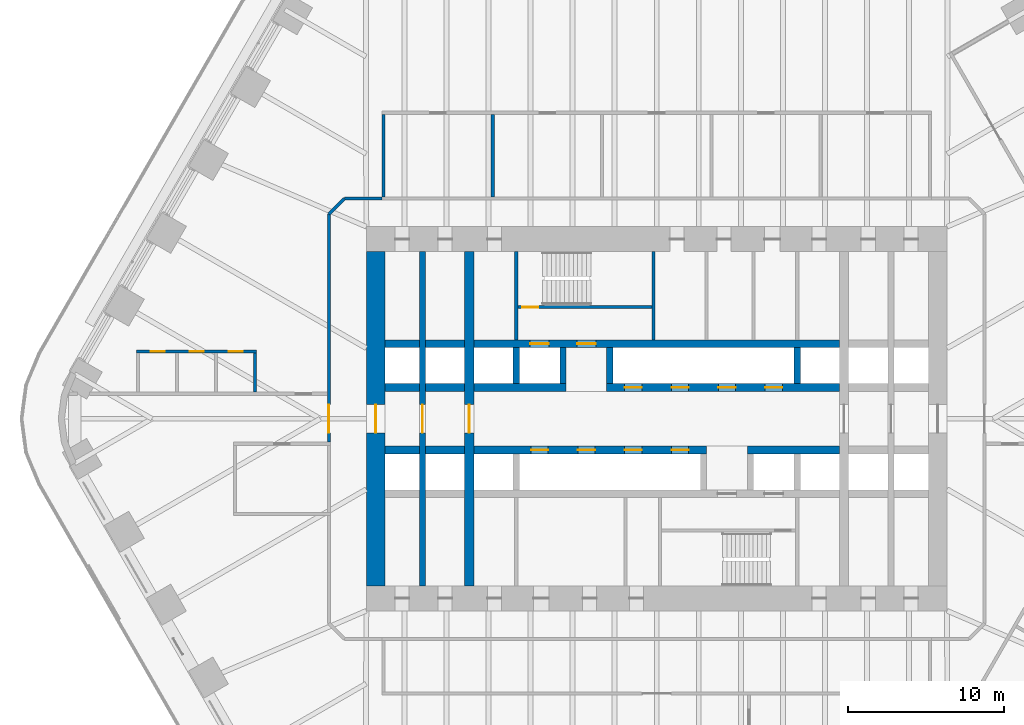
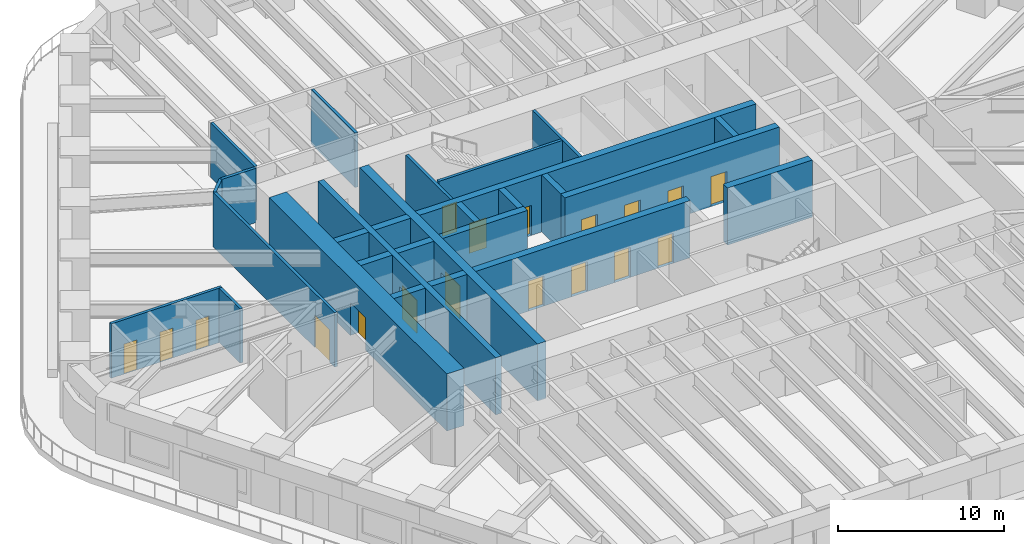
# One storey, part 18 of 23: 28 walls, 18 doors, 18 openings.
"""IFC4 building model written with IfcOpenShell, lengths in metres."""

from ifc_helpers import new_model, si_unit, direction, frame, frame_2d, origin, place, context, subcontext, project, spatial, rectangle, extrude, material, layer, layer_set, type_object, element, fill, save


model = new_model("IFC4")

# Units and contexts
model_context = context("Model", 3, precision=1e-05, world=origin(), true_north=direction((0.0, 1.0)))
body_context = subcontext(model_context, "Body", "Model", "MODEL_VIEW")
ifc_project = project(units=[si_unit("LENGTHUNIT", "METRE"), si_unit("AREAUNIT", "SQUARE_METRE"), si_unit("VOLUMEUNIT", "CUBIC_METRE"), si_unit("PLANEANGLEUNIT", "RADIAN"), si_unit("MASSUNIT", "GRAM", prefix="KILO")], contexts=[model_context])

# Site, building, storey
site_placement = place(None, origin())
site = spatial("IfcSite", under=ifc_project, at=site_placement, CompositionType="ELEMENT")
building_placement = place(site_placement, origin())
building = spatial("IfcBuilding", under=site, at=building_placement, Name="Tarfa Lantern Tower", CompositionType="ELEMENT")
storey_placement = place(building_placement, frame((0.0, 0.0, 61.300048828125)))
storey = spatial("IfcBuildingStorey", under=building, at=storey_placement, Name="L13", CompositionType="ELEMENT", Elevation=61.300048828125)

# Walls
ifc_material_1 = material(Name="Concrete blockwork", Category="masonry")
ifc_layer_1 = layer(ifc_material_1, 0.199951171875)
ifc_layer_set_1 = layer_set([ifc_layer_1], Name="IW1 BLOCKWORK PARTITION 200 EI 120")
wall_type_1 = type_object("IfcWallType", Name="IW1 BLOCKWORK PARTITION 200 EI 120", PredefinedType="PARTITIONING", material=ifc_layer_set_1)
wall_1_placement = place(storey_placement, frame((-9.0, 5.050048828125, 0.0), z_axis=(0.0, 0.0, 1.0), x_axis=(0.0, 1.0, 0.0)))
element("IfcWall", 1, at=wall_1_placement, inside=storey, type_object=wall_type_1, Name="Core partition", PredefinedType="PARTITIONING", context=body_context, shape_type="SweptSolid", body=[
    extrude(rectangle(XDim=5.64990234375, YDim=0.199951171875, at=frame_2d((2.824951171875, 0.0))), origin(), (0.0, 0.0, 1.0), 4.0),
])
ifc_material_2 = material(Name="Gypsum board on steel studs", Category="steel")
ifc_layer_2 = layer(ifc_material_2, 0.2099609375)
ifc_layer_set_2 = layer_set([ifc_layer_2], Name="IW2 ACOUSTIC PARTITION 200")
wall_type_2 = type_object("IfcWallType", Name="IW2 ACOUSTIC PARTITION 200", PredefinedType="PARTITIONING", material=ifc_layer_set_2)
for number, where, z_axis, x_axis, name in (
    (2, (-17.5, 14.199951171875, 0.0), (0.0, 0.0, 1.0), (0.0, 1.0, 0.0), "Partition"),
    (3, (-10.5, 14.199951171875, 0.0), (0.0, 0.0, 1.0), (0.0, 1.0, 0.0), "Partition"),
):
    element("IfcWall", number, at=place(storey_placement, frame(where, z_axis=z_axis, x_axis=x_axis)), inside=storey, type_object=wall_type_2, Name=name, PredefinedType="PARTITIONING", context=body_context, shape_type="SweptSolid", body=[
        extrude(rectangle(XDim=5.300048828125, YDim=0.199951171875, at=frame_2d((2.64990234375, 0.0))), origin(), (0.0, 0.0, 1.0), 4.0),
    ])
wall_2_placement = place(storey_placement, frame((-20.0, 14.10009765625, 0.0), z_axis=(0.0, 0.0, 1.0), x_axis=(1.0, 0.0, 0.0)))
element("IfcWall", 4, at=wall_2_placement, inside=storey, type_object=wall_type_2, Name="Partition", PredefinedType="PARTITIONING", context=body_context, shape_type="SweptSolid", body=[
    extrude(rectangle(XDim=2.39990234375, YDim=0.199951171875, at=frame_2d((1.199951171875, 0.0))), origin(), (0.0, 0.0, 1.0), 4.0),
])

# Wall, opening, door
wall_3_placement = place(storey_placement, frame((-21.0, -1.4990234375, 0.0), z_axis=(0.0, 0.0, 1.0), x_axis=(0.0, 1.0, 0.0)))
wall_3 = element("IfcWall", 5, at=wall_3_placement, inside=storey, type_object=wall_type_2, Name="Partition", PredefinedType="PARTITIONING", context=body_context, shape_type="SweptSolid", body=[
    extrude(rectangle(XDim=14.59912109375, YDim=0.199951171875, at=frame_2d((7.299560546875, 0.0))), origin(), (0.0, 0.0, 1.0), 4.0),
])
opening_1_placement = place(wall_3_placement, frame((0.59912109375, 0.0, 0.0)))
opening_1 = element("IfcOpeningElement", 6, at=opening_1_placement, cuts=wall_3, Name="Opening D45", PredefinedType="OPENING", context=body_context, shape_type="SweptSolid", body=[
    extrude(rectangle(XDim=1.800048828125, YDim=2.39990234375, at=frame_2d((0.89990234375, 1.199951171875))), frame((0.0, 0.10986328125, 0.0), z_axis=(0.0, -1.0, 0.0), x_axis=(1.0, 0.0, 0.0)), (0.0, 0.0, 1.0), 0.219970703125),
])
ifc_material_3 = material(Name="Timber door", Category="wood")
door_type_1 = type_object("IfcDoorType", Name="DR2 ROOM DOOR 1800x2400", OperationType="DOUBLE_DOOR_SINGLE_SWING", PredefinedType="DOOR", material=ifc_material_3)
door_1_placement = place(opening_1_placement, origin())
door_1 = element("IfcDoor", 7, at=door_1_placement, inside=storey, type_object=door_type_1, Name="Corridor door", OperationType="DOUBLE_DOOR_SINGLE_SWING", OverallHeight=2.39990234375, OverallWidth=1.800048828125, PredefinedType="DOOR", context=body_context, shape_type="SweptSolid", body=[
    extrude(rectangle(XDim=1.800048828125, YDim=2.39990234375, at=frame_2d((0.89990234375, 1.199951171875))), frame((0.0, 0.02490234375, 0.0), z_axis=(0.0, -1.0, 0.0), x_axis=(1.0, 0.0, 0.0)), (0.0, 0.0, 1.0), 0.050048828125),
])
fill(opening_1, door_1)

# Wall
wall_4_placement = place(storey_placement, frame((-21.0, 13.10009765625, 0.0), z_axis=(0.0, 0.0, 1.0), x_axis=(0.707106781187, 0.707106781187, 0.0)))
element("IfcWall", 8, at=wall_4_placement, inside=storey, type_object=wall_type_2, Name="Partition", PredefinedType="PARTITIONING", context=body_context, shape_type="SweptSolid", body=[
    extrude(rectangle(XDim=1.414306640625, YDim=0.199951171875, at=frame_2d((0.70703125, 0.0))), origin(), (0.0, 0.0, 1.0), 4.0),
])

# Wall, openings, doors
wall_5_placement = place(storey_placement, frame((-25.618408203125, 4.300048828125, 0.0), z_axis=(0.0, 0.0, 1.0), x_axis=(-1.0, 0.0, 0.0)))
wall_5 = element("IfcWall", 9, at=wall_5_placement, inside=storey, type_object=wall_type_2, Name="Partition", PredefinedType="PARTITIONING", context=body_context, shape_type="SweptSolid", body=[
    extrude(rectangle(XDim=7.699951171875, YDim=0.199951171875, at=frame_2d((3.85009765625, 0.0))), origin(), (0.0, 0.0, 1.0), 4.0),
])
opening_2_placement = place(wall_5_placement, frame((0.89990234375, 0.0, 0.0)))
opening_2 = element("IfcOpeningElement", 10, at=opening_2_placement, cuts=wall_5, Name="Opening D39", PredefinedType="OPENING", context=body_context, shape_type="SweptSolid", body=[
    extrude(rectangle(XDim=0.89990234375, YDim=2.199951171875, at=frame_2d((0.449951171875, 1.10009765625))), frame((0.0, 0.10986328125, 0.0), z_axis=(0.0, -1.0, 0.0), x_axis=(1.0, 0.0, 0.0)), (0.0, 0.0, 1.0), 0.219970703125),
])
opening_3_placement = place(wall_5_placement, frame((3.39990234375, 0.0, 0.0)))
opening_3 = element("IfcOpeningElement", 11, at=opening_3_placement, cuts=wall_5, Name="Opening D40", PredefinedType="OPENING", context=body_context, shape_type="SweptSolid", body=[
    extrude(rectangle(XDim=0.89990234375, YDim=2.199951171875, at=frame_2d((0.449951171875, 1.10009765625))), frame((0.0, 0.10986328125, 0.0), z_axis=(0.0, -1.0, 0.0), x_axis=(1.0, 0.0, 0.0)), (0.0, 0.0, 1.0), 0.219970703125),
])
opening_4_placement = place(wall_5_placement, frame((5.89990234375, 0.0, 0.0)))
opening_4 = element("IfcOpeningElement", 12, at=opening_4_placement, cuts=wall_5, Name="Opening D41", PredefinedType="OPENING", context=body_context, shape_type="SweptSolid", body=[
    extrude(rectangle(XDim=0.89990234375, YDim=2.199951171875, at=frame_2d((0.449951171875, 1.10009765625))), frame((0.0, 0.10986328125, 0.0), z_axis=(0.0, -1.0, 0.0), x_axis=(1.0, 0.0, 0.0)), (0.0, 0.0, 1.0), 0.219970703125),
])
door_type_2 = type_object("IfcDoorType", Name="DR3 ROOM DOOR 900x2200", OperationType="SINGLE_SWING_LEFT", PredefinedType="DOOR", material=ifc_material_3)
door_2_placement = place(opening_2_placement, origin())
door_2 = element("IfcDoor", 13, at=door_2_placement, inside=storey, type_object=door_type_2, Name="Focus room door", OperationType="SINGLE_SWING_RIGHT", OverallHeight=2.199951171875, OverallWidth=0.89990234375, PredefinedType="DOOR", context=body_context, shape_type="SweptSolid", body=[
    extrude(rectangle(XDim=0.89990234375, YDim=2.199951171875, at=frame_2d((0.449951171875, 1.10009765625))), frame((0.0, 0.02490234375, 0.0), z_axis=(0.0, -1.0, 0.0), x_axis=(1.0, 0.0, 0.0)), (0.0, 0.0, 1.0), 0.050048828125),
])
fill(opening_2, door_2)
door_3_placement = place(opening_3_placement, origin())
door_3 = element("IfcDoor", 14, at=door_3_placement, inside=storey, type_object=door_type_2, Name="Focus room door", OperationType="SINGLE_SWING_LEFT", OverallHeight=2.199951171875, OverallWidth=0.89990234375, PredefinedType="DOOR", context=body_context, shape_type="SweptSolid", body=[
    extrude(rectangle(XDim=0.89990234375, YDim=2.199951171875, at=frame_2d((0.449951171875, 1.10009765625))), frame((0.0, 0.02490234375, 0.0), z_axis=(0.0, -1.0, 0.0), x_axis=(1.0, 0.0, 0.0)), (0.0, 0.0, 1.0), 0.050048828125),
])
fill(opening_3, door_3)
door_4_placement = place(opening_4_placement, origin())
door_4 = element("IfcDoor", 15, at=door_4_placement, inside=storey, type_object=door_type_2, Name="Focus room door", OperationType="SINGLE_SWING_LEFT", OverallHeight=2.199951171875, OverallWidth=0.89990234375, PredefinedType="DOOR", context=body_context, shape_type="SweptSolid", body=[
    extrude(rectangle(XDim=0.89990234375, YDim=2.199951171875, at=frame_2d((0.449951171875, 1.10009765625))), frame((0.0, 0.02490234375, 0.0), z_axis=(0.0, -1.0, 0.0), x_axis=(1.0, 0.0, 0.0)), (0.0, 0.0, 1.0), 0.050048828125),
])
fill(opening_4, door_4)

# Wall
wall_6_placement = place(storey_placement, frame((-25.718505859375, 1.699951171875, 0.0), z_axis=(0.0, 0.0, 1.0), x_axis=(0.0, 1.0, 0.0)))
element("IfcWall", 16, at=wall_6_placement, inside=storey, type_object=wall_type_2, Name="Partition", PredefinedType="PARTITIONING", context=body_context, shape_type="SweptSolid", body=[
    extrude(rectangle(XDim=2.5, YDim=0.199951171875, at=frame_2d((1.25, 0.0))), origin(), (0.0, 0.0, 1.0), 4.0),
])

# Wall, opening, door
ifc_material_4 = material(Name="Concrete C80/95", Category="concrete")
ifc_layer_3 = layer(ifc_material_4, 1.199951171875)
ifc_layer_set_3 = layer_set([ifc_layer_3], Name="SW1 CORE WALL 1200")
wall_type_3 = type_object("IfcWallType", Name="SW1 CORE WALL 1200", PredefinedType="SHEAR", material=ifc_layer_set_3)
wall_7_placement = place(storey_placement, frame((-18.0, 10.699951171875, 0.0), z_axis=(0.0, 0.0, 1.0), x_axis=(0.0, -1.0, 0.0)))
wall_7 = element("IfcWall", 17, at=wall_7_placement, inside=storey, type_object=wall_type_3, Name="Core wall W", PredefinedType="SHEAR", context=body_context, shape_type="SweptSolid", body=[
    extrude(rectangle(XDim=21.39990234375, YDim=1.199951171875, at=frame_2d((10.699951171875, 0.0))), origin(), (0.0, 0.0, 1.0), 4.199951171875),
])
opening_5_placement = place(wall_7_placement, frame((9.800048828125, 0.0, 0.0)))
opening_5 = element("IfcOpeningElement", 18, at=opening_5_placement, cuts=wall_7, Name="Opening D16", PredefinedType="OPENING", context=body_context, shape_type="SweptSolid", body=[
    extrude(rectangle(XDim=1.800048828125, YDim=2.39990234375, at=frame_2d((0.89990234375, 1.199951171875))), frame((0.0, 0.60986328125, 0.0), z_axis=(0.0, -1.0, 0.0), x_axis=(1.0, 0.0, 0.0)), (0.0, 0.0, 1.0), 1.219970703125),
])
ifc_material_5 = material(Name="Steel fire door", Category="steel")
door_type_3 = type_object("IfcDoorType", Name="DL1 LOBBY DOOR 1800x2400", OperationType="DOUBLE_DOOR_SINGLE_SWING", PredefinedType="DOOR", material=ifc_material_5)
door_5_placement = place(opening_5_placement, frame((1.800048828125, 0.0, 0.0), z_axis=(0.0, 0.0, 1.0), x_axis=(-1.0, 0.0, 0.0)))
door_5 = element("IfcDoor", 19, at=door_5_placement, inside=storey, type_object=door_type_3, Name="Lift lobby door", OperationType="DOUBLE_DOOR_SINGLE_SWING", OverallHeight=2.39990234375, OverallWidth=1.800048828125, PredefinedType="DOOR", context=body_context, shape_type="SweptSolid", body=[
    extrude(rectangle(XDim=1.800048828125, YDim=2.39990234375, at=frame_2d((0.89990234375, 1.199951171875))), frame((0.0, 0.02490234375, 0.0), z_axis=(0.0, -1.0, 0.0), x_axis=(1.0, 0.0, 0.0)), (0.0, 0.0, 1.0), 0.050048828125),
])
fill(opening_5, door_5)

# Wall
ifc_layer_4 = layer(ifc_material_4, 0.199951171875)
ifc_layer_set_4 = layer_set([ifc_layer_4], Name="SW12 CORE WALL 200")
wall_type_4 = type_object("IfcWallType", Name="SW12 CORE WALL 200", PredefinedType="SHEAR", material=ifc_layer_set_4)
wall_8_placement = place(storey_placement, frame((-0.199951171875, 5.050048828125, 0.0), z_axis=(0.0, 0.0, 1.0), x_axis=(0.0, 1.0, 0.0)))
element("IfcWall", 20, at=wall_8_placement, inside=storey, type_object=wall_type_4, Name="Core wall stair shaft N", PredefinedType="SHEAR", context=body_context, shape_type="SweptSolid", body=[
    extrude(rectangle(XDim=5.64990234375, YDim=0.199951171875, at=frame_2d((2.824951171875, 0.0))), origin(), (0.0, 0.0, 1.0), 4.199951171875),
])

# Wall, opening, door
wall_9_placement = place(storey_placement, frame((-8.89990234375, 7.14990234375, 0.0), z_axis=(0.0, 0.0, 1.0), x_axis=(1.0, 0.0, 0.0)))
wall_9 = element("IfcWall", 21, at=wall_9_placement, inside=storey, type_object=wall_type_4, Name="Core wall stair partition N", PredefinedType="SHEAR", context=body_context, shape_type="SweptSolid", body=[
    extrude(rectangle(XDim=8.599853515625, YDim=0.199951171875, at=frame_2d((4.2998046875, 0.0))), origin(), (0.0, 0.0, 1.0), 4.199951171875),
])
opening_6_placement = place(wall_9_placement, frame((0.300048828125, 0.0, 0.0)))
opening_6 = element("IfcOpeningElement", 22, at=opening_6_placement, cuts=wall_9, Name="Opening D23", PredefinedType="OPENING", context=body_context, shape_type="SweptSolid", body=[
    extrude(rectangle(XDim=1.0, YDim=2.199951171875, at=frame_2d((0.5, 1.10009765625))), frame((0.0, 0.10986328125, 0.0), z_axis=(0.0, -1.0, 0.0), x_axis=(1.0, 0.0, 0.0)), (0.0, 0.0, 1.0), 0.219970703125),
])
door_type_4 = type_object("IfcDoorType", Name="DF2 STAIR DOOR 1000x2200", OperationType="SINGLE_SWING_LEFT", PredefinedType="DOOR", material=ifc_material_5)
door_6_placement = place(opening_6_placement, origin())
door_6 = element("IfcDoor", 23, at=door_6_placement, inside=storey, type_object=door_type_4, Name="Stair door", OperationType="SINGLE_SWING_RIGHT", OverallHeight=2.199951171875, OverallWidth=1.0, PredefinedType="DOOR", context=body_context, shape_type="SweptSolid", body=[
    extrude(rectangle(XDim=1.0, YDim=2.199951171875, at=frame_2d((0.5, 1.10009765625))), frame((0.0, 0.02490234375, 0.0), z_axis=(0.0, -1.0, 0.0), x_axis=(1.0, 0.0, 0.0)), (0.0, 0.0, 1.0), 0.050048828125),
])
fill(opening_6, door_6)

# Walls
ifc_layer_5 = layer(ifc_material_4, 0.5)
ifc_layer_set_5 = layer_set([ifc_layer_5], Name="SW5 CORE WALL 500")
wall_type_5 = type_object("IfcWallType", Name="SW5 CORE WALL 500", PredefinedType="SHEAR", material=ifc_layer_set_5)
wall_10_placement = place(storey_placement, frame((-17.39990234375, 2.0, 0.0), z_axis=(0.0, 0.0, 1.0), x_axis=(1.0, 0.0, 0.0)))
element("IfcWall", 24, at=wall_10_placement, inside=storey, type_object=wall_type_5, Name="Core wall lobby west N", PredefinedType="SHEAR", context=body_context, shape_type="SweptSolid", body=[
    extrude(rectangle(XDim=2.199951171875, YDim=0.5, at=frame_2d((1.10009765625, 0.0))), origin(), (0.0, 0.0, 1.0), 4.199951171875),
])
wall_11_placement = place(storey_placement, frame((-14.800048828125, 2.0, 0.0), z_axis=(0.0, 0.0, 1.0), x_axis=(1.0, 0.0, 0.0)))
element("IfcWall", 25, at=wall_11_placement, inside=storey, type_object=wall_type_5, Name="Core wall lobby west N", PredefinedType="SHEAR", context=body_context, shape_type="SweptSolid", body=[
    extrude(rectangle(XDim=2.5, YDim=0.5, at=frame_2d((1.25, 0.0))), origin(), (0.0, 0.0, 1.0), 4.199951171875),
])
wall_12_placement = place(storey_placement, frame((-11.699951171875, 2.0, 0.0), z_axis=(0.0, 0.0, 1.0), x_axis=(1.0, 0.0, 0.0)))
element("IfcWall", 26, at=wall_12_placement, inside=storey, type_object=wall_type_5, Name="Core wall lobby west N", PredefinedType="SHEAR", context=body_context, shape_type="SweptSolid", body=[
    extrude(rectangle(XDim=5.89990234375, YDim=0.5, at=frame_2d((2.949951171875, 0.0))), origin(), (0.0, 0.0, 1.0), 4.199951171875),
])

# Wall, openings, doors
wall_13_placement = place(storey_placement, frame((-3.199951171875, 2.0, 0.0), z_axis=(0.0, 0.0, 1.0), x_axis=(1.0, 0.0, 0.0)))
wall_13 = element("IfcWall", 27, at=wall_13_placement, inside=storey, type_object=wall_type_5, Name="Core wall lobby east N", PredefinedType="SHEAR", context=body_context, shape_type="SweptSolid", body=[
    extrude(rectangle(XDim=14.89990234375, YDim=0.5, at=frame_2d((7.449951171875, 0.0))), origin(), (0.0, 0.0, 1.0), 4.199951171875),
])
opening_7_placement = place(wall_13_placement, frame((1.14990234375, 0.0, 0.0)))
opening_7 = element("IfcOpeningElement", 28, at=opening_7_placement, cuts=wall_13, Name="Opening LD03", PredefinedType="OPENING", context=body_context, shape_type="SweptSolid", body=[
    extrude(rectangle(XDim=1.10009765625, YDim=2.199951171875, at=frame_2d((0.550048828125, 1.10009765625))), frame((0.0, 0.260009765625, 0.0), z_axis=(0.0, -1.0, 0.0), x_axis=(1.0, 0.0, 0.0)), (0.0, 0.0, 1.0), 0.52001953125),
])
opening_8_placement = place(wall_13_placement, frame((4.14990234375, 0.0, 0.0)))
opening_8 = element("IfcOpeningElement", 29, at=opening_8_placement, cuts=wall_13, Name="Opening LD04", PredefinedType="OPENING", context=body_context, shape_type="SweptSolid", body=[
    extrude(rectangle(XDim=1.10009765625, YDim=2.199951171875, at=frame_2d((0.550048828125, 1.10009765625))), frame((0.0, 0.260009765625, 0.0), z_axis=(0.0, -1.0, 0.0), x_axis=(1.0, 0.0, 0.0)), (0.0, 0.0, 1.0), 0.52001953125),
])
opening_9_placement = place(wall_13_placement, frame((7.14990234375, 0.0, 0.0)))
opening_9 = element("IfcOpeningElement", 30, at=opening_9_placement, cuts=wall_13, Name="Opening LD05", PredefinedType="OPENING", context=body_context, shape_type="SweptSolid", body=[
    extrude(rectangle(XDim=1.10009765625, YDim=2.199951171875, at=frame_2d((0.550048828125, 1.10009765625))), frame((0.0, 0.260009765625, 0.0), z_axis=(0.0, -1.0, 0.0), x_axis=(1.0, 0.0, 0.0)), (0.0, 0.0, 1.0), 0.52001953125),
])
opening_10_placement = place(wall_13_placement, frame((10.14990234375, 0.0, 0.0)))
opening_10 = element("IfcOpeningElement", 31, at=opening_10_placement, cuts=wall_13, Name="Opening LD06", PredefinedType="OPENING", context=body_context, shape_type="SweptSolid", body=[
    extrude(rectangle(XDim=1.10009765625, YDim=2.199951171875, at=frame_2d((0.550048828125, 1.10009765625))), frame((0.0, 0.260009765625, 0.0), z_axis=(0.0, -1.0, 0.0), x_axis=(1.0, 0.0, 0.0)), (0.0, 0.0, 1.0), 0.52001953125),
])
ifc_material_6 = material(Name="Stainless steel lift door", Category="steel")
door_type_5 = type_object("IfcDoorType", Name="LD2 LIFT LANDING DOOR 1100x2200", OperationType="SLIDING_TO_LEFT", PredefinedType="DOOR", material=ifc_material_6)
door_7_placement = place(opening_7_placement, frame((1.10009765625, 0.0, 0.0), z_axis=(0.0, 0.0, 1.0), x_axis=(-1.0, 0.0, 0.0)))
door_7 = element("IfcDoor", 32, at=door_7_placement, inside=storey, type_object=door_type_5, Name="Landing door PA1", OperationType="SLIDING_TO_LEFT", OverallHeight=2.199951171875, OverallWidth=1.10009765625, PredefinedType="DOOR", context=body_context, shape_type="SweptSolid", body=[
    extrude(rectangle(XDim=1.10009765625, YDim=2.199951171875, at=frame_2d((0.550048828125, 1.10009765625))), frame((0.0, 0.02490234375, 0.0), z_axis=(0.0, -1.0, 0.0), x_axis=(1.0, 0.0, 0.0)), (0.0, 0.0, 1.0), 0.050048828125),
])
fill(opening_7, door_7)
door_8_placement = place(opening_8_placement, frame((1.10009765625, 0.0, 0.0), z_axis=(0.0, 0.0, 1.0), x_axis=(-1.0, 0.0, 0.0)))
door_8 = element("IfcDoor", 33, at=door_8_placement, inside=storey, type_object=door_type_5, Name="Landing door PA2", OperationType="SLIDING_TO_LEFT", OverallHeight=2.199951171875, OverallWidth=1.10009765625, PredefinedType="DOOR", context=body_context, shape_type="SweptSolid", body=[
    extrude(rectangle(XDim=1.10009765625, YDim=2.199951171875, at=frame_2d((0.550048828125, 1.10009765625))), frame((0.0, 0.02490234375, 0.0), z_axis=(0.0, -1.0, 0.0), x_axis=(1.0, 0.0, 0.0)), (0.0, 0.0, 1.0), 0.050048828125),
])
fill(opening_8, door_8)
door_9_placement = place(opening_9_placement, frame((1.10009765625, 0.0, 0.0), z_axis=(0.0, 0.0, 1.0), x_axis=(-1.0, 0.0, 0.0)))
door_9 = element("IfcDoor", 34, at=door_9_placement, inside=storey, type_object=door_type_5, Name="Landing door PA3", OperationType="SLIDING_TO_LEFT", OverallHeight=2.199951171875, OverallWidth=1.10009765625, PredefinedType="DOOR", context=body_context, shape_type="SweptSolid", body=[
    extrude(rectangle(XDim=1.10009765625, YDim=2.199951171875, at=frame_2d((0.550048828125, 1.10009765625))), frame((0.0, 0.02490234375, 0.0), z_axis=(0.0, -1.0, 0.0), x_axis=(1.0, 0.0, 0.0)), (0.0, 0.0, 1.0), 0.050048828125),
])
fill(opening_9, door_9)
door_10_placement = place(opening_10_placement, frame((1.10009765625, 0.0, 0.0), z_axis=(0.0, 0.0, 1.0), x_axis=(-1.0, 0.0, 0.0)))
door_10 = element("IfcDoor", 35, at=door_10_placement, inside=storey, type_object=door_type_5, Name="Landing door PA4", OperationType="SLIDING_TO_LEFT", OverallHeight=2.199951171875, OverallWidth=1.10009765625, PredefinedType="DOOR", context=body_context, shape_type="SweptSolid", body=[
    extrude(rectangle(XDim=1.10009765625, YDim=2.199951171875, at=frame_2d((0.550048828125, 1.10009765625))), frame((0.0, 0.02490234375, 0.0), z_axis=(0.0, -1.0, 0.0), x_axis=(1.0, 0.0, 0.0)), (0.0, 0.0, 1.0), 0.050048828125),
])
fill(opening_10, door_10)

# Walls
wall_14_placement = place(storey_placement, frame((-17.39990234375, 4.800048828125, 0.0), z_axis=(0.0, 0.0, 1.0), x_axis=(1.0, 0.0, 0.0)))
element("IfcWall", 36, at=wall_14_placement, inside=storey, type_object=wall_type_5, Name="Core wall rear N", PredefinedType="SHEAR", context=body_context, shape_type="SweptSolid", body=[
    extrude(rectangle(XDim=2.199951171875, YDim=0.5, at=frame_2d((1.10009765625, 0.0))), origin(), (0.0, 0.0, 1.0), 4.199951171875),
])
wall_15_placement = place(storey_placement, frame((-14.800048828125, 4.800048828125, 0.0), z_axis=(0.0, 0.0, 1.0), x_axis=(1.0, 0.0, 0.0)))
element("IfcWall", 37, at=wall_15_placement, inside=storey, type_object=wall_type_5, Name="Core wall rear N", PredefinedType="SHEAR", context=body_context, shape_type="SweptSolid", body=[
    extrude(rectangle(XDim=2.5, YDim=0.5, at=frame_2d((1.25, 0.0))), origin(), (0.0, 0.0, 1.0), 4.199951171875),
])

# Wall, openings, doors
wall_16_placement = place(storey_placement, frame((-11.699951171875, 4.800048828125, 0.0), z_axis=(0.0, 0.0, 1.0), x_axis=(1.0, 0.0, 0.0)))
wall_16 = element("IfcWall", 38, at=wall_16_placement, inside=storey, type_object=wall_type_5, Name="Core wall rear N", PredefinedType="SHEAR", context=body_context, shape_type="SweptSolid", body=[
    extrude(rectangle(XDim=23.39990234375, YDim=0.5, at=frame_2d((11.699951171875, 0.0))), origin(), (0.0, 0.0, 1.0), 4.199951171875),
])
opening_11_placement = place(wall_16_placement, frame((6.60009765625, 0.0, 0.0)))
opening_11 = element("IfcOpeningElement", 39, at=opening_11_placement, cuts=wall_16, Name="Opening D13", PredefinedType="OPENING", context=body_context, shape_type="SweptSolid", body=[
    extrude(rectangle(XDim=1.199951171875, YDim=2.199951171875, at=frame_2d((0.60009765625, 1.10009765625))), frame((0.0, 0.260009765625, 0.0), z_axis=(0.0, -1.0, 0.0), x_axis=(1.0, 0.0, 0.0)), (0.0, 0.0, 1.0), 0.52001953125),
])
opening_12_placement = place(wall_16_placement, frame((3.60009765625, 0.0, 0.0)))
opening_12 = element("IfcOpeningElement", 40, at=opening_12_placement, cuts=wall_16, Name="Opening LD01", PredefinedType="OPENING", context=body_context, shape_type="SweptSolid", body=[
    extrude(rectangle(XDim=1.199951171875, YDim=2.199951171875, at=frame_2d((0.60009765625, 1.10009765625))), frame((0.0, 0.260009765625, 0.0), z_axis=(0.0, -1.0, 0.0), x_axis=(1.0, 0.0, 0.0)), (0.0, 0.0, 1.0), 0.52001953125),
])
door_type_6 = type_object("IfcDoorType", Name="DF1 FIREFIGHTING LOBBY DOOR 1200x2200", OperationType="SINGLE_SWING_LEFT", PredefinedType="DOOR", material=ifc_material_5)
door_11_placement = place(opening_11_placement, origin())
door_11 = element("IfcDoor", 41, at=door_11_placement, inside=storey, type_object=door_type_6, Name="Firefighting lobby door", OperationType="SINGLE_SWING_LEFT", OverallHeight=2.199951171875, OverallWidth=1.199951171875, PredefinedType="DOOR", context=body_context, shape_type="SweptSolid", body=[
    extrude(rectangle(XDim=1.199951171875, YDim=2.199951171875, at=frame_2d((0.60009765625, 1.10009765625))), frame((0.0, 0.02490234375, 0.0), z_axis=(0.0, -1.0, 0.0), x_axis=(1.0, 0.0, 0.0)), (0.0, 0.0, 1.0), 0.050048828125),
])
fill(opening_11, door_11)
door_type_7 = type_object("IfcDoorType", Name="LD1 LIFT LANDING DOOR 1200x2200", OperationType="SLIDING_TO_LEFT", PredefinedType="DOOR", material=ifc_material_6)
door_12_placement = place(opening_12_placement, origin())
door_12 = element("IfcDoor", 42, at=door_12_placement, inside=storey, type_object=door_type_7, Name="Landing door FL1", OperationType="SLIDING_TO_LEFT", OverallHeight=2.199951171875, OverallWidth=1.199951171875, PredefinedType="DOOR", context=body_context, shape_type="SweptSolid", body=[
    extrude(rectangle(XDim=1.199951171875, YDim=2.199951171875, at=frame_2d((0.60009765625, 1.10009765625))), frame((0.0, 0.02490234375, 0.0), z_axis=(0.0, -1.0, 0.0), x_axis=(1.0, 0.0, 0.0)), (0.0, 0.0, 1.0), 0.050048828125),
])
fill(opening_12, door_12)

# Wall
wall_17_placement = place(storey_placement, frame((11.699951171875, -2.0, 0.0), z_axis=(0.0, 0.0, 1.0), x_axis=(-1.0, 0.0, 0.0)))
element("IfcWall", 43, at=wall_17_placement, inside=storey, type_object=wall_type_5, Name="Core wall lobby west S", PredefinedType="SHEAR", context=body_context, shape_type="SweptSolid", body=[
    extrude(rectangle(XDim=5.89990234375, YDim=0.5, at=frame_2d((2.949951171875, 0.0))), origin(), (0.0, 0.0, 1.0), 4.199951171875),
])

# Wall, openings, doors
wall_18_placement = place(storey_placement, frame((3.199951171875, -2.0, 0.0), z_axis=(0.0, 0.0, 1.0), x_axis=(-1.0, 0.0, 0.0)))
wall_18 = element("IfcWall", 44, at=wall_18_placement, inside=storey, type_object=wall_type_5, Name="Core wall lobby east S", PredefinedType="SHEAR", context=body_context, shape_type="SweptSolid", body=[
    extrude(rectangle(XDim=14.89990234375, YDim=0.5, at=frame_2d((7.449951171875, 0.0))), origin(), (0.0, 0.0, 1.0), 4.199951171875),
])
opening_13_placement = place(wall_18_placement, frame((1.14990234375, 0.0, 0.0)))
opening_13 = element("IfcOpeningElement", 45, at=opening_13_placement, cuts=wall_18, Name="Opening LD07", PredefinedType="OPENING", context=body_context, shape_type="SweptSolid", body=[
    extrude(rectangle(XDim=1.10009765625, YDim=2.199951171875, at=frame_2d((0.550048828125, 1.10009765625))), frame((0.0, 0.260009765625, 0.0), z_axis=(0.0, -1.0, 0.0), x_axis=(1.0, 0.0, 0.0)), (0.0, 0.0, 1.0), 0.52001953125),
])
opening_14_placement = place(wall_18_placement, frame((4.14990234375, 0.0, 0.0)))
opening_14 = element("IfcOpeningElement", 46, at=opening_14_placement, cuts=wall_18, Name="Opening LD08", PredefinedType="OPENING", context=body_context, shape_type="SweptSolid", body=[
    extrude(rectangle(XDim=1.10009765625, YDim=2.199951171875, at=frame_2d((0.550048828125, 1.10009765625))), frame((0.0, 0.260009765625, 0.0), z_axis=(0.0, -1.0, 0.0), x_axis=(1.0, 0.0, 0.0)), (0.0, 0.0, 1.0), 0.52001953125),
])
opening_15_placement = place(wall_18_placement, frame((7.14990234375, 0.0, 0.0)))
opening_15 = element("IfcOpeningElement", 47, at=opening_15_placement, cuts=wall_18, Name="Opening LD09", PredefinedType="OPENING", context=body_context, shape_type="SweptSolid", body=[
    extrude(rectangle(XDim=1.10009765625, YDim=2.199951171875, at=frame_2d((0.550048828125, 1.10009765625))), frame((0.0, 0.260009765625, 0.0), z_axis=(0.0, -1.0, 0.0), x_axis=(1.0, 0.0, 0.0)), (0.0, 0.0, 1.0), 0.52001953125),
])
opening_16_placement = place(wall_18_placement, frame((10.14990234375, 0.0, 0.0)))
opening_16 = element("IfcOpeningElement", 48, at=opening_16_placement, cuts=wall_18, Name="Opening LD10", PredefinedType="OPENING", context=body_context, shape_type="SweptSolid", body=[
    extrude(rectangle(XDim=1.10009765625, YDim=2.199951171875, at=frame_2d((0.550048828125, 1.10009765625))), frame((0.0, 0.260009765625, 0.0), z_axis=(0.0, -1.0, 0.0), x_axis=(1.0, 0.0, 0.0)), (0.0, 0.0, 1.0), 0.52001953125),
])
door_13_placement = place(opening_13_placement, frame((1.10009765625, 0.0, 0.0), z_axis=(0.0, 0.0, 1.0), x_axis=(-1.0, 0.0, 0.0)))
door_13 = element("IfcDoor", 49, at=door_13_placement, inside=storey, type_object=door_type_5, Name="Landing door PA5", OperationType="SLIDING_TO_LEFT", OverallHeight=2.199951171875, OverallWidth=1.10009765625, PredefinedType="DOOR", context=body_context, shape_type="SweptSolid", body=[
    extrude(rectangle(XDim=1.10009765625, YDim=2.199951171875, at=frame_2d((0.550048828125, 1.10009765625))), frame((0.0, 0.02490234375, 0.0), z_axis=(0.0, -1.0, 0.0), x_axis=(1.0, 0.0, 0.0)), (0.0, 0.0, 1.0), 0.050048828125),
])
fill(opening_13, door_13)
door_14_placement = place(opening_14_placement, frame((1.10009765625, 0.0, 0.0), z_axis=(0.0, 0.0, 1.0), x_axis=(-1.0, 0.0, 0.0)))
door_14 = element("IfcDoor", 50, at=door_14_placement, inside=storey, type_object=door_type_5, Name="Landing door PA6", OperationType="SLIDING_TO_LEFT", OverallHeight=2.199951171875, OverallWidth=1.10009765625, PredefinedType="DOOR", context=body_context, shape_type="SweptSolid", body=[
    extrude(rectangle(XDim=1.10009765625, YDim=2.199951171875, at=frame_2d((0.550048828125, 1.10009765625))), frame((0.0, 0.02490234375, 0.0), z_axis=(0.0, -1.0, 0.0), x_axis=(1.0, 0.0, 0.0)), (0.0, 0.0, 1.0), 0.050048828125),
])
fill(opening_14, door_14)
door_15_placement = place(opening_15_placement, frame((1.10009765625, 0.0, 0.0), z_axis=(0.0, 0.0, 1.0), x_axis=(-1.0, 0.0, 0.0)))
door_15 = element("IfcDoor", 51, at=door_15_placement, inside=storey, type_object=door_type_5, Name="Landing door PA7", OperationType="SLIDING_TO_LEFT", OverallHeight=2.199951171875, OverallWidth=1.10009765625, PredefinedType="DOOR", context=body_context, shape_type="SweptSolid", body=[
    extrude(rectangle(XDim=1.10009765625, YDim=2.199951171875, at=frame_2d((0.550048828125, 1.10009765625))), frame((0.0, 0.02490234375, 0.0), z_axis=(0.0, -1.0, 0.0), x_axis=(1.0, 0.0, 0.0)), (0.0, 0.0, 1.0), 0.050048828125),
])
fill(opening_15, door_15)
door_16_placement = place(opening_16_placement, frame((1.10009765625, 0.0, 0.0), z_axis=(0.0, 0.0, 1.0), x_axis=(-1.0, 0.0, 0.0)))
door_16 = element("IfcDoor", 52, at=door_16_placement, inside=storey, type_object=door_type_5, Name="Landing door PA8", OperationType="SLIDING_TO_LEFT", OverallHeight=2.199951171875, OverallWidth=1.10009765625, PredefinedType="DOOR", context=body_context, shape_type="SweptSolid", body=[
    extrude(rectangle(XDim=1.10009765625, YDim=2.199951171875, at=frame_2d((0.550048828125, 1.10009765625))), frame((0.0, 0.02490234375, 0.0), z_axis=(0.0, -1.0, 0.0), x_axis=(1.0, 0.0, 0.0)), (0.0, 0.0, 1.0), 0.050048828125),
])
fill(opening_16, door_16)

# Walls
wall_19_placement = place(storey_placement, frame((-12.300048828125, -2.0, 0.0), z_axis=(0.0, 0.0, 1.0), x_axis=(-1.0, 0.0, 0.0)))
element("IfcWall", 53, at=wall_19_placement, inside=storey, type_object=wall_type_5, Name="Core wall lobby east S", PredefinedType="SHEAR", context=body_context, shape_type="SweptSolid", body=[
    extrude(rectangle(XDim=2.5, YDim=0.5, at=frame_2d((1.25, 0.0))), origin(), (0.0, 0.0, 1.0), 4.199951171875),
])
wall_20_placement = place(storey_placement, frame((-15.199951171875, -2.0, 0.0), z_axis=(0.0, 0.0, 1.0), x_axis=(-1.0, 0.0, 0.0)))
element("IfcWall", 54, at=wall_20_placement, inside=storey, type_object=wall_type_5, Name="Core wall lobby east S", PredefinedType="SHEAR", context=body_context, shape_type="SweptSolid", body=[
    extrude(rectangle(XDim=2.199951171875, YDim=0.5, at=frame_2d((1.10009765625, 0.0))), origin(), (0.0, 0.0, 1.0), 4.199951171875),
])

# Wall, opening, door
ifc_layer_6 = layer(ifc_material_4, 0.39990234375)
ifc_layer_set_6 = layer_set([ifc_layer_6], Name="SW6 CORE WALL 400")
wall_type_6 = type_object("IfcWallType", Name="SW6 CORE WALL 400", PredefinedType="SHEAR", material=ifc_layer_set_6)
wall_21_placement = place(storey_placement, frame((-15.0, -10.699951171875, 0.0), z_axis=(0.0, 0.0, 1.0), x_axis=(0.0, 1.0, 0.0)))
wall_21 = element("IfcWall", 55, at=wall_21_placement, inside=storey, type_object=wall_type_6, Name="Core wall cross 15 m west", PredefinedType="SHEAR", context=body_context, shape_type="SweptSolid", body=[
    extrude(rectangle(XDim=21.39990234375, YDim=0.39990234375, at=frame_2d((10.699951171875, 0.0))), origin(), (0.0, 0.0, 1.0), 4.199951171875),
])
opening_17_placement = place(wall_21_placement, frame((9.800048828125, 0.0, 0.0)))
opening_17 = element("IfcOpeningElement", 56, at=opening_17_placement, cuts=wall_21, Name="Opening D28", PredefinedType="OPENING", context=body_context, shape_type="SweptSolid", body=[
    extrude(rectangle(XDim=1.800048828125, YDim=2.39990234375, at=frame_2d((0.89990234375, 1.199951171875))), frame((0.0, 0.2099609375, 0.0), z_axis=(0.0, -1.0, 0.0), x_axis=(1.0, 0.0, 0.0)), (0.0, 0.0, 1.0), 0.419921875),
])
door_17_placement = place(opening_17_placement, origin())
door_17 = element("IfcDoor", 57, at=door_17_placement, inside=storey, type_object=door_type_3, Name="Lift lobby door", OperationType="DOUBLE_DOOR_SINGLE_SWING", OverallHeight=2.39990234375, OverallWidth=1.800048828125, PredefinedType="DOOR", context=body_context, shape_type="SweptSolid", body=[
    extrude(rectangle(XDim=1.800048828125, YDim=2.39990234375, at=frame_2d((0.89990234375, 1.199951171875))), frame((0.0, 0.02490234375, 0.0), z_axis=(0.0, -1.0, 0.0), x_axis=(1.0, 0.0, 0.0)), (0.0, 0.0, 1.0), 0.050048828125),
])
fill(opening_17, door_17)

# Walls
for number, where, z_axis, x_axis, name in (
    (58, (-9.0, 2.25, 0.0), (0.0, 0.0, 1.0), (0.0, 1.0, 0.0), "Core wall divider N"),
    (59, (-6.0, 2.25, 0.0), (0.0, 0.0, 1.0), (0.0, 1.0, 0.0), "Core wall divider N"),
    (60, (-3.0, 2.25, 0.0), (0.0, 0.0, 1.0), (0.0, 1.0, 0.0), "Core wall divider N"),
    (61, (9.0, 2.25, 0.0), (0.0, 0.0, 1.0), (0.0, 1.0, 0.0), "Core wall divider N"),
):
    element("IfcWall", number, at=place(storey_placement, frame(where, z_axis=z_axis, x_axis=x_axis)), inside=storey, type_object=wall_type_6, Name=name, PredefinedType="SHEAR", context=body_context, shape_type="SweptSolid", body=[
        extrude(rectangle(XDim=2.300048828125, YDim=0.39990234375, at=frame_2d((1.14990234375, 0.0))), origin(), (0.0, 0.0, 1.0), 4.199951171875),
    ])

# Wall, opening, door
ifc_layer_7 = layer(ifc_material_4, 0.60009765625)
ifc_layer_set_7 = layer_set([ifc_layer_7], Name="SW9 CORE WALL 600")
wall_type_7 = type_object("IfcWallType", Name="SW9 CORE WALL 600", PredefinedType="SHEAR", material=ifc_layer_set_7)
wall_22_placement = place(storey_placement, frame((-12.0, -10.699951171875, 0.0), z_axis=(0.0, 0.0, 1.0), x_axis=(0.0, 1.0, 0.0)))
wall_22 = element("IfcWall", 62, at=wall_22_placement, inside=storey, type_object=wall_type_7, Name="Core wall cross 12 m west", PredefinedType="SHEAR", context=body_context, shape_type="SweptSolid", body=[
    extrude(rectangle(XDim=21.39990234375, YDim=0.60009765625, at=frame_2d((10.699951171875, 0.0))), origin(), (0.0, 0.0, 1.0), 4.199951171875),
])
opening_18_placement = place(wall_22_placement, frame((9.800048828125, 0.0, 0.0)))
opening_18 = element("IfcOpeningElement", 63, at=opening_18_placement, cuts=wall_22, Name="Opening D27", PredefinedType="OPENING", context=body_context, shape_type="SweptSolid", body=[
    extrude(rectangle(XDim=1.800048828125, YDim=2.39990234375, at=frame_2d((0.89990234375, 1.199951171875))), frame((0.0, 0.31005859375, 0.0), z_axis=(0.0, -1.0, 0.0), x_axis=(1.0, 0.0, 0.0)), (0.0, 0.0, 1.0), 0.6201171875),
])
door_18_placement = place(opening_18_placement, origin())
door_18 = element("IfcDoor", 64, at=door_18_placement, inside=storey, type_object=door_type_3, Name="Lift lobby door", OperationType="DOUBLE_DOOR_SINGLE_SWING", OverallHeight=2.39990234375, OverallWidth=1.800048828125, PredefinedType="DOOR", context=body_context, shape_type="SweptSolid", body=[
    extrude(rectangle(XDim=1.800048828125, YDim=2.39990234375, at=frame_2d((0.89990234375, 1.199951171875))), frame((0.0, 0.02490234375, 0.0), z_axis=(0.0, -1.0, 0.0), x_axis=(1.0, 0.0, 0.0)), (0.0, 0.0, 1.0), 0.050048828125),
])
fill(opening_18, door_18)

save(model, "model.ifc")
